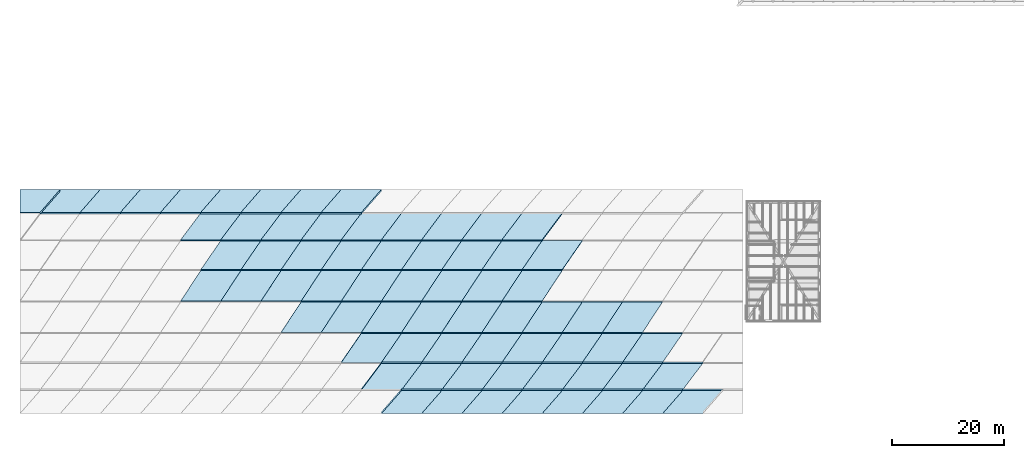
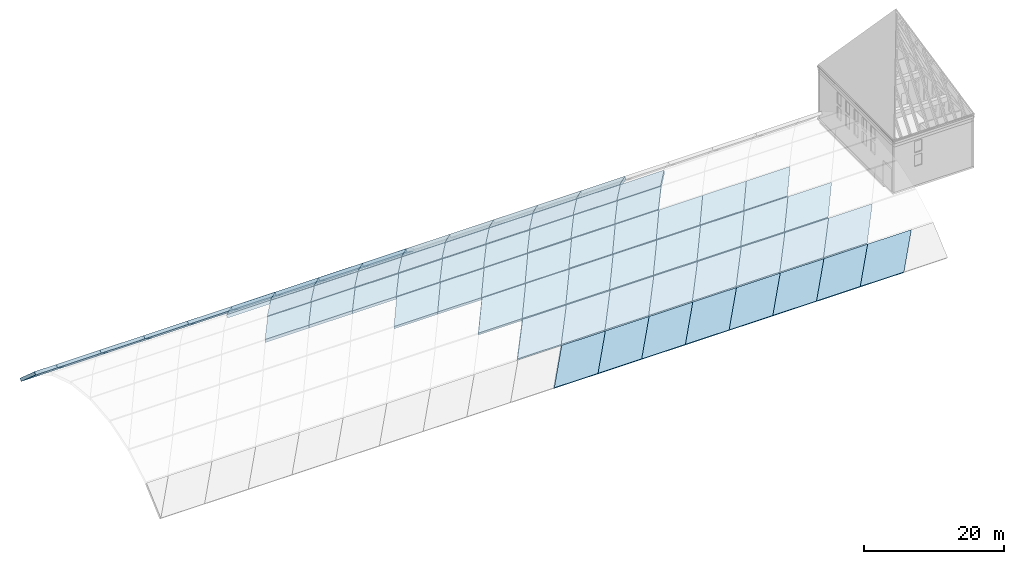
# One storey, part 3 of 8: 69 slabs.
"""IFC4 building model written with IfcOpenShell, lengths in metres."""

import ifcopenshell
import ifcopenshell.guid

model = None  # the IFC model being written
_history = None  # IfcOwnerHistory: only IFC2X3 demands one
_inside = {}  # id of a spatial element -> (the spatial element, [elements in it])
_under = {}  # id of a project, library or spatial element -> (it, [spatial elements below it])
_declared = {}  # id of a project -> (the project, [libraries it declares])
_typed = {}  # id of a type object -> (the type object, [elements of that type])
_made_of = {}  # id of a material, layer set ... -> (it, [elements and type objects made of it])


def new_model(schema):
    """Start an empty IFC model of exactly this schema.

    Asked for "IFC4X3", IfcOpenShell would pick the latest addendum, in which some entities
    have other attributes; the version numbers below select the first issue.
    IFC2X3 requires an IfcOwnerHistory on every rooted entity: one is made here for all.
    """
    global model, _history
    if schema == "IFC4X3":
        model = ifcopenshell.file(schema_version=(4, 3, 0, 0))
    else:
        model = ifcopenshell.file(schema=schema)
    _inside.clear()
    _under.clear()
    _declared.clear()
    _typed.clear()
    _made_of.clear()
    _history = None
    if model.schema == "IFC2X3":
        org = make("IfcOrganization", Name="unknown")
        user = make(
            "IfcPersonAndOrganization",
            ThePerson=make("IfcPerson", FamilyName="unknown"),
            TheOrganization=org,
        )
        app = make(
            "IfcApplication",
            ApplicationDeveloper=org,
            Version="unknown",
            ApplicationFullName="unknown",
            ApplicationIdentifier="unknown",
        )
        _history = make(
            "IfcOwnerHistory",
            OwningUser=user,
            OwningApplication=app,
            ChangeAction="ADDED",
            CreationDate=0,
        )
    return model


def make(cls, **values):
    """One entity of the class cls with the attributes given. An attribute that is None is left unset."""
    return model.create_entity(
        cls, **{name: value for name, value in values.items() if value is not None}
    )


def rooted(cls, **values):
    """An entity with a GlobalId (a new one), such as an element, a storey or a relation."""
    return make(cls, GlobalId=ifcopenshell.guid.new(), OwnerHistory=_history, **values)


def si_unit(unit_type, name, prefix=None):
    """IfcSIUnit, for example si_unit("LENGTHUNIT", "METRE", prefix="MILLI")."""
    return make("IfcSIUnit", UnitType=unit_type, Prefix=prefix, Name=name)


def assignment(units):
    """IfcUnitAssignment: the units of a project."""
    return None if units is None else make("IfcUnitAssignment", Units=units)


def point(xyz):
    """IfcCartesianPoint."""
    return None if xyz is None else make("IfcCartesianPoint", Coordinates=xyz)


def direction(xyz):
    """IfcDirection."""
    return None if xyz is None else make("IfcDirection", DirectionRatios=xyz)


def frame(location, z_axis=None, x_axis=None):
    """IfcAxis2Placement3D, a coordinate frame: its origin and axes. An axis left out is left unset."""
    return make(
        "IfcAxis2Placement3D",
        Location=point(location),
        Axis=direction(z_axis),
        RefDirection=direction(x_axis),
    )


def origin():
    """The frame at (0, 0, 0) with its axes left unset."""
    return frame((0.0, 0.0, 0.0))


def place(relative_to, where):
    """IfcLocalPlacement: puts the frame where relative to a parent placement (None: the world)."""
    return make(
        "IfcLocalPlacement", PlacementRelTo=relative_to, RelativePlacement=where
    )


def context(
    kind, dimensions, precision=None, world=None, true_north=None, identifier=None
):
    """IfcGeometricRepresentationContext, for example the 3D "Model" context."""
    return make(
        "IfcGeometricRepresentationContext",
        ContextIdentifier=identifier,
        ContextType=kind,
        CoordinateSpaceDimension=dimensions,
        Precision=precision,
        WorldCoordinateSystem=world,
        TrueNorth=true_north,
    )


def subcontext(parent, identifier, kind, view, scale=None):
    """IfcGeometricRepresentationSubContext, for example "Body" below "Model"."""
    return make(
        "IfcGeometricRepresentationSubContext",
        ContextIdentifier=identifier,
        ContextType=kind,
        ParentContext=parent,
        TargetScale=scale,
        TargetView=view,
    )


def project(units=None, contexts=None):
    """IfcProject with its units and contexts."""
    return rooted(
        "IfcProject",
        Name="project",
        RepresentationContexts=contexts,
        UnitsInContext=assignment(units),
    )


def spatial(cls, under=None, at=None, **own):
    """A site, building, storey or space (cls), placed at a placement, below another one or the project."""
    s = rooted(cls, ObjectPlacement=at, **own)
    if under is not None:
        _under.setdefault(under.id(), (under, []))[1].append(s)
    return s


def polyline(points):
    """IfcPolyline through the points."""
    return make("IfcPolyline", Points=[point(p) for p in points])


def outline(outer, holes=None, kind="AREA"):
    """IfcArbitraryClosedProfileDef: a profile drawn as a closed curve; with holes, ...WithVoids."""
    if holes is None:
        return make("IfcArbitraryClosedProfileDef", ProfileType=kind, OuterCurve=outer)
    return make(
        "IfcArbitraryProfileDefWithVoids",
        ProfileType=kind,
        OuterCurve=outer,
        InnerCurves=holes,
    )


def extrude(swept, where, along, depth):
    """IfcExtrudedAreaSolid: the profile swept, set in the frame where, extruded along a direction by depth."""
    return make(
        "IfcExtrudedAreaSolid",
        SweptArea=swept,
        Position=where,
        ExtrudedDirection=direction(along),
        Depth=depth,
    )


def shape(context_of_items, identifier, shape_type, items):
    """IfcShapeRepresentation: the items that make up one representation, for example the "Body"."""
    return make(
        "IfcShapeRepresentation",
        ContextOfItems=context_of_items,
        RepresentationIdentifier=identifier,
        RepresentationType=shape_type,
        Items=items,
    )


def material(Name=None, Category=None):
    """IfcMaterial."""
    return make("IfcMaterial", Name=Name, Category=Category)


def layer(
    of_material, thickness, ventilated=None, Name=None, Category=None, Priority=None
):
    """IfcMaterialLayer: one layer of a wall or slab, of a material (None: an air gap)."""
    return make(
        "IfcMaterialLayer",
        Material=of_material,
        LayerThickness=thickness,
        IsVentilated=ventilated,
        Name=Name,
        Category=Category,
        Priority=Priority,
    )


def layer_set(layers, Name=None):
    """IfcMaterialLayerSet."""
    return make("IfcMaterialLayerSet", MaterialLayers=layers, LayerSetName=Name)


def made_of(thing, what):
    """Note that an element or type object is made of a material, layer set ...; save() writes the relation."""
    if what is not None:
        _made_of.setdefault(what.id(), (what, []))[1].append(thing)
    return thing


def type_object(cls, material=None, **own):
    """A type object (cls), such as IfcWallType, which elements share."""
    return made_of(rooted(cls, **own), material)


def element(
    cls,
    number,
    at=None,
    inside=None,
    cuts=None,
    type_object=None,
    material=None,
    context=None,
    identifier="Body",
    shape_type=None,
    held_by="IfcProductDefinitionShape",
    body=None,
    shapes=None,
    **own,
):
    """One element of the class cls, such as IfcWall. Its Tag is "e" and its number.

    at: its placement. inside: the storey or other place that contains it. cuts: it is an
    opening in that element (IfcRelVoidsElement). A single representation is given by context,
    identifier, shape_type and body (its items); several are given by shapes. held_by: the class
    of the entity that holds the representations. save() writes the other relations.
    """
    e = rooted(cls, Tag="e%d" % number, ObjectPlacement=at, **own)
    if body is not None:
        shapes = [shape(context, identifier, shape_type, body)]
    if shapes is not None:
        e.Representation = make(held_by, Representations=shapes)
    if inside is not None:
        _inside.setdefault(inside.id(), (inside, []))[1].append(e)
    if cuts is not None:
        rooted(
            "IfcRelVoidsElement", RelatingBuildingElement=cuts, RelatedOpeningElement=e
        )
    if type_object is not None:
        _typed.setdefault(type_object.id(), (type_object, []))[1].append(e)
    return made_of(e, material)


def aggregate(whole, parts):
    """IfcRelAggregates: a whole, such as a stair, and the parts it consists of."""
    return rooted("IfcRelAggregates", RelatingObject=whole, RelatedObjects=parts)


def save(model, path):
    """Write the relations noted so far, then the file.

    IfcRelAggregates (storeys below a building ...), IfcRelContainedInSpatialStructure (elements
    in a storey), IfcRelDefinesByType, IfcRelAssociatesMaterial and IfcRelDeclares: one each for
    every whole, place, type object, material and project.
    """
    for whole, parts in _under.values():
        aggregate(whole, parts)
    for where, things in _inside.values():
        rooted(
            "IfcRelContainedInSpatialStructure",
            RelatedElements=things,
            RelatingStructure=where,
        )
    for kind, things in _typed.values():
        rooted("IfcRelDefinesByType", RelatedObjects=things, RelatingType=kind)
    for what, things in _made_of.values():
        rooted("IfcRelAssociatesMaterial", RelatedObjects=things, RelatingMaterial=what)
    for by, libraries in _declared.values():
        rooted("IfcRelDeclares", RelatingContext=by, RelatedDefinitions=libraries)
    model.write(path)


model = new_model("IFC4")

# Units and contexts
model_context = context("Model", 3, precision=1e-05, world=origin(), true_north=direction((0.0, 1.0)))
body_context = subcontext(model_context, "Body", "Model", "MODEL_VIEW")
ifc_project = project(units=[si_unit("LENGTHUNIT", "METRE"), si_unit("AREAUNIT", "SQUARE_METRE"), si_unit("VOLUMEUNIT", "CUBIC_METRE"), si_unit("PLANEANGLEUNIT", "RADIAN"), si_unit("MASSUNIT", "GRAM", prefix="KILO")], contexts=[model_context])

# Site, building, storey
site_placement = place(None, origin())
site = spatial("IfcSite", under=ifc_project, at=site_placement, CompositionType="ELEMENT")
building_placement = place(site_placement, origin())
building = spatial("IfcBuilding", under=site, at=building_placement, Name="Vermilion Court Aquatics Centre", CompositionType="ELEMENT")
storey_placement = place(building_placement, frame((0.0, 0.0, 23.300048828125)))
storey = spatial("IfcBuildingStorey", under=building, at=storey_placement, Name="ROOF", CompositionType="ELEMENT", Elevation=23.300048828125)

# Slabs
ifc_material_1 = material(Name="Glazing", Category="glass")
ifc_layer_1 = layer(ifc_material_1, 0.449951171875)
ifc_layer_set_1 = layer_set([ifc_layer_1], Name="Roof glazed rooflight unit")
slab_type_1 = type_object("IfcSlabType", Name="Roof glazed rooflight unit", PredefinedType="ROOF", material=ifc_layer_set_1)
slab_1_placement = place(storey_placement, frame((61.199951171875, 34.057861328125, 7.076904296875), z_axis=(0.0, -0.103261140612, 0.994654280059), x_axis=(1.0, 0.0, 0.0)))
element("IfcSlab", 1, at=slab_1_placement, inside=storey, type_object=slab_type_1, Name="Rooflight RL-05-07", PredefinedType="ROOF", context=body_context, shape_type="SweptSolid", body=[
    extrude(outline(polyline([(0.0, 0.0), (7.199951171875, 0.0), (10.800048828125, 5.499368788521336), (3.60009765625, 5.499368788521336), (0.0, 0.0)])), origin(), (0.0, 0.0, -1.0), 0.449951171875),
])
slab_2_placement = place(storey_placement, frame((68.39990234375, 34.057861328125, 7.076904296875), z_axis=(0.0, -0.103261140612, 0.994654280059), x_axis=(1.0, 0.0, 0.0)))
element("IfcSlab", 2, at=slab_2_placement, inside=storey, type_object=slab_type_1, Name="Rooflight RL-05-08", PredefinedType="ROOF", context=body_context, shape_type="SweptSolid", body=[
    extrude(outline(polyline([(0.0, 0.0), (7.2001953125, 0.0), (10.800048828125, 5.499368788521336), (3.60009765625, 5.499368788521336), (0.0, 0.0)])), origin(), (0.0, 0.0, -1.0), 0.449951171875),
])
slab_3_placement = place(storey_placement, frame((75.60009765625, 34.057861328125, 7.076904296875), z_axis=(0.0, -0.103261140612, 0.994654280059), x_axis=(1.0, 0.0, 0.0)))
element("IfcSlab", 3, at=slab_3_placement, inside=storey, type_object=slab_type_1, Name="Rooflight RL-05-09", PredefinedType="ROOF", context=body_context, shape_type="SweptSolid", body=[
    extrude(outline(polyline([(0.0, 0.0), (7.199951171875, 0.0), (10.7998046875, 5.499368788521336), (3.599853515625, 5.499368788521336), (0.0, 0.0)])), origin(), (0.0, 0.0, -1.0), 0.449951171875),
])
slab_4_placement = place(storey_placement, frame((82.800048828125, 34.057861328125, 7.076904296875), z_axis=(0.0, -0.103261140612, 0.994654280059), x_axis=(1.0, 0.0, 0.0)))
element("IfcSlab", 4, at=slab_4_placement, inside=storey, type_object=slab_type_1, Name="Rooflight RL-05-10", PredefinedType="ROOF", context=body_context, shape_type="SweptSolid", body=[
    extrude(outline(polyline([(0.0, 0.0), (7.199951171875, 0.0), (10.800048828125, 5.499368788521336), (3.599853515625, 5.499368788521336), (0.0, 0.0)])), origin(), (0.0, 0.0, -1.0), 0.449951171875),
])
slab_5_placement = place(storey_placement, frame((57.60009765625, 39.672119140625, 7.644775390625), z_axis=(0.0, 0.103261140612, 0.994654280059), x_axis=(1.0, 0.0, 0.0)))
element("IfcSlab", 5, at=slab_5_placement, inside=storey, type_object=slab_type_1, Name="Rooflight RL-06-07", PredefinedType="ROOF", context=body_context, shape_type="SweptSolid", body=[
    extrude(outline(polyline([(0.0, 0.0), (7.199951171875, 0.0), (10.7998046875, 5.499368788521336), (3.599853515625, 5.499368788521336), (0.0, 0.0)])), origin(), (0.0, 0.0, -1.0), 0.449951171875),
])
slab_6_placement = place(storey_placement, frame((64.800048828125, 39.672119140625, 7.644775390625), z_axis=(0.0, 0.103261140612, 0.994654280059), x_axis=(1.0, 0.0, 0.0)))
element("IfcSlab", 6, at=slab_6_placement, inside=storey, type_object=slab_type_1, Name="Rooflight RL-06-08", PredefinedType="ROOF", context=body_context, shape_type="SweptSolid", body=[
    extrude(outline(polyline([(0.0, 0.0), (7.199951171875, 0.0), (10.800048828125, 5.499368788521336), (3.599853515625, 5.499368788521336), (0.0, 0.0)])), origin(), (0.0, 0.0, -1.0), 0.449951171875),
])
for number, where, z_axis, x_axis, name in (
    (7, (72.0, 39.672119140625, 7.644775390625), (0.0, 0.103261140612, 0.994654280059), (1.0, 0.0, 0.0), "Rooflight RL-06-09"),
    (8, (79.199951171875, 39.672119140625, 7.644775390625), (0.0, 0.103261140612, 0.994654280059), (1.0, 0.0, 0.0), "Rooflight RL-06-10"),
):
    element("IfcSlab", number, at=place(storey_placement, frame(where, z_axis=z_axis, x_axis=x_axis)), inside=storey, type_object=slab_type_1, Name=name, PredefinedType="ROOF", context=body_context, shape_type="SweptSolid", body=[
        extrude(outline(polyline([(0.0, 0.0), (7.199951171875, 0.0), (10.800048828125, 5.499368788521336), (3.60009765625, 5.499368788521336), (0.0, 0.0)])), origin(), (0.0, 0.0, -1.0), 0.449951171875),
    ])
ifc_material_2 = material(Name="Zinc standing seam sheet", Category="metal")
ifc_layer_2 = layer(ifc_material_2, 0.5)
ifc_layer_set_2 = layer_set([ifc_layer_2], Name="Roof insulated cover panel")
slab_type_2 = type_object("IfcSlabType", Name="Roof insulated cover panel", PredefinedType="ROOF", material=ifc_layer_set_2)
slab_7_placement = place(storey_placement, frame((79.199951171875, 19.50439453125, -1.0869140625), z_axis=(0.0, -0.66200348449, 0.749500758187), x_axis=(1.0, 0.0, 0.0)))
element("IfcSlab", 9, at=slab_7_placement, inside=storey, type_object=slab_type_2, Name="Roof panel RP-02-10", PredefinedType="ROOF", context=body_context, shape_type="SweptSolid", body=[
    extrude(outline(polyline([(0.0, 0.0), (7.199951171875, 0.0), (10.800048828125, 5.496823054377794), (3.60009765625, 5.496823054377794), (0.0, 0.0)])), origin(), (0.0, 0.0, -1.0), 0.5),
])
slab_8_placement = place(storey_placement, frame((86.39990234375, 19.50439453125, -1.0869140625), z_axis=(0.0, -0.66200348449, 0.749500758187), x_axis=(1.0, 0.0, 0.0)))
element("IfcSlab", 10, at=slab_8_placement, inside=storey, type_object=slab_type_2, Name="Roof panel RP-02-11", PredefinedType="ROOF", context=body_context, shape_type="SweptSolid", body=[
    extrude(outline(polyline([(0.0, 0.0), (7.2001953125, 0.0), (10.800048828125, 5.496823054377795), (3.60009765625, 5.496823054377795), (0.0, 0.0)])), origin(), (0.0, 0.0, -1.0), 0.5),
])
slab_9_placement = place(storey_placement, frame((93.60009765625, 19.50439453125, -1.0869140625), z_axis=(0.0, -0.66200348449, 0.749500758187), x_axis=(1.0, 0.0, 0.0)))
element("IfcSlab", 11, at=slab_9_placement, inside=storey, type_object=slab_type_2, Name="Roof panel RP-02-12", PredefinedType="ROOF", context=body_context, shape_type="SweptSolid", body=[
    extrude(outline(polyline([(0.0, 0.0), (7.199951171875, 0.0), (10.7998046875, 5.496823054377794), (3.599853515625, 5.496823054377794), (0.0, 0.0)])), origin(), (0.0, 0.0, -1.0), 0.5),
])
slab_10_placement = place(storey_placement, frame((100.800048828125, 19.50439453125, -1.0869140625), z_axis=(0.0, -0.66200348449, 0.749500758187), x_axis=(1.0, 0.0, 0.0)))
element("IfcSlab", 12, at=slab_10_placement, inside=storey, type_object=slab_type_2, Name="Roof panel RP-02-13", PredefinedType="ROOF", context=body_context, shape_type="SweptSolid", body=[
    extrude(outline(polyline([(0.0, 0.0), (7.199951171875, 0.0), (10.800048828125, 5.496823054377795), (3.599853515625, 5.496823054377795), (0.0, 0.0)])), origin(), (0.0, 0.0, -1.0), 0.5),
])
for number, where, z_axis, x_axis, name in (
    (13, (108.0, 19.50439453125, -1.0869140625), (0.0, -0.66200348449, 0.749500758187), (1.0, 0.0, 0.0), "Roof panel RP-02-14"),
    (14, (115.199951171875, 19.50439453125, -1.0869140625), (0.0, -0.66200348449, 0.749500758187), (1.0, 0.0, 0.0), "Roof panel RP-02-15"),
):
    element("IfcSlab", number, at=place(storey_placement, frame(where, z_axis=z_axis, x_axis=x_axis)), inside=storey, type_object=slab_type_2, Name=name, PredefinedType="ROOF", context=body_context, shape_type="SweptSolid", body=[
        extrude(outline(polyline([(0.0, 0.0), (7.199951171875, 0.0), (10.800048828125, 5.496823054377794), (3.60009765625, 5.496823054377794), (0.0, 0.0)])), origin(), (0.0, 0.0, -1.0), 0.5),
    ])
slab_11_placement = place(storey_placement, frame((122.39990234375, 19.50439453125, -1.0869140625), z_axis=(0.0, -0.66200348449, 0.749500758187), x_axis=(1.0, 0.0, 0.0)))
element("IfcSlab", 15, at=slab_11_placement, inside=storey, type_object=slab_type_2, Name="Roof panel RP-02-16", PredefinedType="ROOF", context=body_context, shape_type="SweptSolid", body=[
    extrude(outline(polyline([(0.0, 0.0), (7.2001953125, 0.0), (10.800048828125, 5.496823054377795), (3.60009765625, 5.496823054377795), (0.0, 0.0)])), origin(), (0.0, 0.0, -1.0), 0.5),
])
slab_12_placement = place(storey_placement, frame((129.60009765625, 19.50439453125, -1.0869140625), z_axis=(0.0, -0.66200348449, 0.749500758187), x_axis=(1.0, 0.0, 0.0)))
element("IfcSlab", 16, at=slab_12_placement, inside=storey, type_object=slab_type_2, Name="Roof panel RP-02-17", PredefinedType="ROOF", context=body_context, shape_type="SweptSolid", body=[
    extrude(outline(polyline([(0.0, 0.0), (7.199951171875, 0.0), (10.7998046875, 5.496823054377794), (3.599853515625, 5.496823054377794), (0.0, 0.0)])), origin(), (0.0, 0.0, -1.0), 0.5),
])
slab_13_placement = place(storey_placement, frame((75.60009765625, 23.750244140625, 2.641845703125), z_axis=(0.0, -0.494047556018, 0.869434881054), x_axis=(1.0, 0.0, 0.0)))
element("IfcSlab", 17, at=slab_13_placement, inside=storey, type_object=slab_type_2, Name="Roof panel RP-03-09", PredefinedType="ROOF", context=body_context, shape_type="SweptSolid", body=[
    extrude(outline(polyline([(0.0, 0.0), (7.199951171875, 0.0), (10.7998046875, 5.4975769438396265), (3.599853515625, 5.4975769438396265), (0.0, 0.0)])), origin(), (0.0, 0.0, -1.0), 0.5),
])
slab_14_placement = place(storey_placement, frame((82.800048828125, 23.750244140625, 2.641845703125), z_axis=(0.0, -0.494047556018, 0.869434881054), x_axis=(1.0, 0.0, 0.0)))
element("IfcSlab", 18, at=slab_14_placement, inside=storey, type_object=slab_type_2, Name="Roof panel RP-03-10", PredefinedType="ROOF", context=body_context, shape_type="SweptSolid", body=[
    extrude(outline(polyline([(0.0, 0.0), (7.199951171875, 0.0), (10.800048828125, 5.4975769438396265), (3.599853515625, 5.4975769438396265), (0.0, 0.0)])), origin(), (0.0, 0.0, -1.0), 0.5),
])
for number, where, z_axis, x_axis, name in (
    (19, (90.0, 23.750244140625, 2.641845703125), (0.0, -0.494047556018, 0.869434881054), (1.0, 0.0, 0.0), "Roof panel RP-03-11"),
    (20, (97.199951171875, 23.750244140625, 2.641845703125), (0.0, -0.494047556018, 0.869434881054), (1.0, 0.0, 0.0), "Roof panel RP-03-12"),
):
    element("IfcSlab", number, at=place(storey_placement, frame(where, z_axis=z_axis, x_axis=x_axis)), inside=storey, type_object=slab_type_2, Name=name, PredefinedType="ROOF", context=body_context, shape_type="SweptSolid", body=[
        extrude(outline(polyline([(0.0, 0.0), (7.199951171875, 0.0), (10.800048828125, 5.4975769438396265), (3.60009765625, 5.4975769438396265), (0.0, 0.0)])), origin(), (0.0, 0.0, -1.0), 0.5),
    ])
slab_15_placement = place(storey_placement, frame((104.39990234375, 23.750244140625, 2.641845703125), z_axis=(0.0, -0.494047556018, 0.869434881054), x_axis=(1.0, 0.0, 0.0)))
element("IfcSlab", 21, at=slab_15_placement, inside=storey, type_object=slab_type_2, Name="Roof panel RP-03-13", PredefinedType="ROOF", context=body_context, shape_type="SweptSolid", body=[
    extrude(outline(polyline([(0.0, 0.0), (7.2001953125, 0.0), (10.800048828125, 5.4975769438396265), (3.60009765625, 5.4975769438396265), (0.0, 0.0)])), origin(), (0.0, 0.0, -1.0), 0.5),
])
slab_16_placement = place(storey_placement, frame((111.60009765625, 23.750244140625, 2.641845703125), z_axis=(0.0, -0.494047556018, 0.869434881054), x_axis=(1.0, 0.0, 0.0)))
element("IfcSlab", 22, at=slab_16_placement, inside=storey, type_object=slab_type_2, Name="Roof panel RP-03-14", PredefinedType="ROOF", context=body_context, shape_type="SweptSolid", body=[
    extrude(outline(polyline([(0.0, 0.0), (7.199951171875, 0.0), (10.7998046875, 5.4975769438396265), (3.599853515625, 5.4975769438396265), (0.0, 0.0)])), origin(), (0.0, 0.0, -1.0), 0.5),
])
slab_17_placement = place(storey_placement, frame((118.800048828125, 23.750244140625, 2.641845703125), z_axis=(0.0, -0.494047556018, 0.869434881054), x_axis=(1.0, 0.0, 0.0)))
element("IfcSlab", 23, at=slab_17_placement, inside=storey, type_object=slab_type_2, Name="Roof panel RP-03-15", PredefinedType="ROOF", context=body_context, shape_type="SweptSolid", body=[
    extrude(outline(polyline([(0.0, 0.0), (7.199951171875, 0.0), (10.800048828125, 5.4975769438396265), (3.599853515625, 5.4975769438396265), (0.0, 0.0)])), origin(), (0.0, 0.0, -1.0), 0.5),
])
slab_18_placement = place(storey_placement, frame((126.0, 23.750244140625, 2.641845703125), z_axis=(0.0, -0.494047556018, 0.869434881054), x_axis=(1.0, 0.0, 0.0)))
element("IfcSlab", 24, at=slab_18_placement, inside=storey, type_object=slab_type_2, Name="Roof panel RP-03-16", PredefinedType="ROOF", context=body_context, shape_type="SweptSolid", body=[
    extrude(outline(polyline([(0.0, 0.0), (7.199951171875, 0.0), (10.800048828125, 5.4975769438396265), (3.60009765625, 5.4975769438396265), (0.0, 0.0)])), origin(), (0.0, 0.0, -1.0), 0.5),
])
for number, where, z_axis, x_axis, name in (
    (25, (72.0, 28.671630859375, 5.419921875), (0.0, -0.305016066417, 0.952347205187), (1.0, 0.0, 0.0), "Roof panel RP-04-09"),
    (26, (79.199951171875, 28.671630859375, 5.419921875), (0.0, -0.305016066417, 0.952347205187), (1.0, 0.0, 0.0), "Roof panel RP-04-10"),
):
    element("IfcSlab", number, at=place(storey_placement, frame(where, z_axis=z_axis, x_axis=x_axis)), inside=storey, type_object=slab_type_2, Name=name, PredefinedType="ROOF", context=body_context, shape_type="SweptSolid", body=[
        extrude(outline(polyline([(0.0, 0.0), (7.199951171875, 0.0), (10.800048828125, 5.49167408720778), (3.60009765625, 5.49167408720778), (0.0, 0.0)])), origin(), (0.0, 0.0, -1.0), 0.5),
    ])
slab_19_placement = place(storey_placement, frame((86.39990234375, 28.671630859375, 5.419921875), z_axis=(0.0, -0.305016066417, 0.952347205187), x_axis=(1.0, 0.0, 0.0)))
element("IfcSlab", 27, at=slab_19_placement, inside=storey, type_object=slab_type_2, Name="Roof panel RP-04-11", PredefinedType="ROOF", context=body_context, shape_type="SweptSolid", body=[
    extrude(outline(polyline([(0.0, 0.0), (7.2001953125, 0.0), (10.800048828125, 5.491674087207781), (3.60009765625, 5.491674087207781), (0.0, 0.0)])), origin(), (0.0, 0.0, -1.0), 0.5),
])
slab_20_placement = place(storey_placement, frame((93.60009765625, 28.671630859375, 5.419921875), z_axis=(0.0, -0.305016066417, 0.952347205187), x_axis=(1.0, 0.0, 0.0)))
element("IfcSlab", 28, at=slab_20_placement, inside=storey, type_object=slab_type_2, Name="Roof panel RP-04-12", PredefinedType="ROOF", context=body_context, shape_type="SweptSolid", body=[
    extrude(outline(polyline([(0.0, 0.0), (7.199951171875, 0.0), (10.7998046875, 5.49167408720778), (3.599853515625, 5.49167408720778), (0.0, 0.0)])), origin(), (0.0, 0.0, -1.0), 0.5),
])
slab_21_placement = place(storey_placement, frame((100.800048828125, 28.671630859375, 5.419921875), z_axis=(0.0, -0.305016066417, 0.952347205187), x_axis=(1.0, 0.0, 0.0)))
element("IfcSlab", 29, at=slab_21_placement, inside=storey, type_object=slab_type_2, Name="Roof panel RP-04-13", PredefinedType="ROOF", context=body_context, shape_type="SweptSolid", body=[
    extrude(outline(polyline([(0.0, 0.0), (7.199951171875, 0.0), (10.800048828125, 5.491674087207781), (3.599853515625, 5.491674087207781), (0.0, 0.0)])), origin(), (0.0, 0.0, -1.0), 0.5),
])
for number, where, z_axis, x_axis, name in (
    (30, (108.0, 28.671630859375, 5.419921875), (0.0, -0.305016066417, 0.952347205187), (1.0, 0.0, 0.0), "Roof panel RP-04-14"),
    (31, (115.199951171875, 28.671630859375, 5.419921875), (0.0, -0.305016066417, 0.952347205187), (1.0, 0.0, 0.0), "Roof panel RP-04-15"),
):
    element("IfcSlab", number, at=place(storey_placement, frame(where, z_axis=z_axis, x_axis=x_axis)), inside=storey, type_object=slab_type_2, Name=name, PredefinedType="ROOF", context=body_context, shape_type="SweptSolid", body=[
        extrude(outline(polyline([(0.0, 0.0), (7.199951171875, 0.0), (10.800048828125, 5.49167408720778), (3.60009765625, 5.49167408720778), (0.0, 0.0)])), origin(), (0.0, 0.0, -1.0), 0.5),
    ])
slab_22_placement = place(storey_placement, frame((122.39990234375, 28.671630859375, 5.419921875), z_axis=(0.0, -0.305016066417, 0.952347205187), x_axis=(1.0, 0.0, 0.0)))
element("IfcSlab", 32, at=slab_22_placement, inside=storey, type_object=slab_type_2, Name="Roof panel RP-04-16", PredefinedType="ROOF", context=body_context, shape_type="SweptSolid", body=[
    extrude(outline(polyline([(0.0, 0.0), (7.2001953125, 0.0), (10.800048828125, 5.491674087207781), (3.60009765625, 5.491674087207781), (0.0, 0.0)])), origin(), (0.0, 0.0, -1.0), 0.5),
])
for number, where, z_axis, x_axis, name in (
    (33, (90.0, 34.052734375, 7.126708984375), (0.0, -0.103261140612, 0.994654280059), (1.0, 0.0, 0.0), "Roof panel RP-05-11"),
    (34, (97.199951171875, 34.052734375, 7.126708984375), (0.0, -0.103261140612, 0.994654280059), (1.0, 0.0, 0.0), "Roof panel RP-05-12"),
):
    element("IfcSlab", number, at=place(storey_placement, frame(where, z_axis=z_axis, x_axis=x_axis)), inside=storey, type_object=slab_type_2, Name=name, PredefinedType="ROOF", context=body_context, shape_type="SweptSolid", body=[
        extrude(outline(polyline([(0.0, 0.0), (7.199951171875, 0.0), (10.800048828125, 5.499368788521336), (3.60009765625, 5.499368788521336), (0.0, 0.0)])), origin(), (0.0, 0.0, -1.0), 0.5),
    ])
slab_23_placement = place(storey_placement, frame((104.39990234375, 34.052734375, 7.126708984375), z_axis=(0.0, -0.103261140612, 0.994654280059), x_axis=(1.0, 0.0, 0.0)))
element("IfcSlab", 35, at=slab_23_placement, inside=storey, type_object=slab_type_2, Name="Roof panel RP-05-13", PredefinedType="ROOF", context=body_context, shape_type="SweptSolid", body=[
    extrude(outline(polyline([(0.0, 0.0), (7.2001953125, 0.0), (10.800048828125, 5.499368788521336), (3.60009765625, 5.499368788521336), (0.0, 0.0)])), origin(), (0.0, 0.0, -1.0), 0.5),
])
slab_24_placement = place(storey_placement, frame((111.60009765625, 34.052734375, 7.126708984375), z_axis=(0.0, -0.103261140612, 0.994654280059), x_axis=(1.0, 0.0, 0.0)))
element("IfcSlab", 36, at=slab_24_placement, inside=storey, type_object=slab_type_2, Name="Roof panel RP-05-14", PredefinedType="ROOF", context=body_context, shape_type="SweptSolid", body=[
    extrude(outline(polyline([(0.0, 0.0), (7.199951171875, 0.0), (10.7998046875, 5.499368788521336), (3.599853515625, 5.499368788521336), (0.0, 0.0)])), origin(), (0.0, 0.0, -1.0), 0.5),
])
slab_25_placement = place(storey_placement, frame((118.800048828125, 34.052734375, 7.126708984375), z_axis=(0.0, -0.103261140612, 0.994654280059), x_axis=(1.0, 0.0, 0.0)))
element("IfcSlab", 37, at=slab_25_placement, inside=storey, type_object=slab_type_2, Name="Roof panel RP-05-15", PredefinedType="ROOF", context=body_context, shape_type="SweptSolid", body=[
    extrude(outline(polyline([(0.0, 0.0), (7.199951171875, 0.0), (10.800048828125, 5.499368788521336), (3.599853515625, 5.499368788521336), (0.0, 0.0)])), origin(), (0.0, 0.0, -1.0), 0.5),
])
slab_26_placement = place(storey_placement, frame((43.199951171875, 39.67724609375, 7.694580078125), z_axis=(0.0, 0.103261140612, 0.994654280059), x_axis=(1.0, 0.0, 0.0)))
element("IfcSlab", 38, at=slab_26_placement, inside=storey, type_object=slab_type_2, Name="Roof panel RP-06-05", PredefinedType="ROOF", context=body_context, shape_type="SweptSolid", body=[
    extrude(outline(polyline([(0.0, 0.0), (7.199951171875, 0.0), (10.800048828125, 5.499368788521336), (3.60009765625, 5.499368788521336), (0.0, 0.0)])), origin(), (0.0, 0.0, -1.0), 0.5),
])
for number, where, z_axis, x_axis, name in (
    (39, (50.39990234375, 39.67724609375, 7.694580078125), (0.0, 0.103261140612, 0.994654280059), (1.0, 0.0, 0.0), "Roof panel RP-06-06"),
    (40, (86.39990234375, 39.67724609375, 7.694580078125), (0.0, 0.103261140612, 0.994654280059), (1.0, 0.0, 0.0), "Roof panel RP-06-11"),
):
    element("IfcSlab", number, at=place(storey_placement, frame(where, z_axis=z_axis, x_axis=x_axis)), inside=storey, type_object=slab_type_2, Name=name, PredefinedType="ROOF", context=body_context, shape_type="SweptSolid", body=[
        extrude(outline(polyline([(0.0, 0.0), (7.2001953125, 0.0), (10.800048828125, 5.499368788521336), (3.60009765625, 5.499368788521336), (0.0, 0.0)])), origin(), (0.0, 0.0, -1.0), 0.5),
    ])
slab_27_placement = place(storey_placement, frame((93.60009765625, 39.67724609375, 7.694580078125), z_axis=(0.0, 0.103261140612, 0.994654280059), x_axis=(1.0, 0.0, 0.0)))
element("IfcSlab", 41, at=slab_27_placement, inside=storey, type_object=slab_type_2, Name="Roof panel RP-06-12", PredefinedType="ROOF", context=body_context, shape_type="SweptSolid", body=[
    extrude(outline(polyline([(0.0, 0.0), (7.199951171875, 0.0), (10.7998046875, 5.499368788521336), (3.599853515625, 5.499368788521336), (0.0, 0.0)])), origin(), (0.0, 0.0, -1.0), 0.5),
])
slab_28_placement = place(storey_placement, frame((100.800048828125, 39.67724609375, 7.694580078125), z_axis=(0.0, 0.103261140612, 0.994654280059), x_axis=(1.0, 0.0, 0.0)))
element("IfcSlab", 42, at=slab_28_placement, inside=storey, type_object=slab_type_2, Name="Roof panel RP-06-13", PredefinedType="ROOF", context=body_context, shape_type="SweptSolid", body=[
    extrude(outline(polyline([(0.0, 0.0), (7.199951171875, 0.0), (10.800048828125, 5.499368788521336), (3.599853515625, 5.499368788521336), (0.0, 0.0)])), origin(), (0.0, 0.0, -1.0), 0.5),
])
slab_29_placement = place(storey_placement, frame((46.800048828125, 45.29833984375, 7.094970703125), z_axis=(0.0, 0.305016066417, 0.952347205187), x_axis=(1.0, 0.0, 0.0)))
element("IfcSlab", 43, at=slab_29_placement, inside=storey, type_object=slab_type_2, Name="Roof panel RP-07-05", PredefinedType="ROOF", context=body_context, shape_type="SweptSolid", body=[
    extrude(outline(polyline([(0.0, 0.0), (7.199951171875, 0.0), (10.800048828125, 5.491674087207781), (3.599853515625, 5.491674087207781), (0.0, 0.0)])), origin(), (0.0, 0.0, -1.0), 0.5),
])
for number, where, z_axis, x_axis, name in (
    (44, (54.0, 45.29833984375, 7.094970703125), (0.0, 0.305016066417, 0.952347205187), (1.0, 0.0, 0.0), "Roof panel RP-07-06"),
    (45, (61.199951171875, 45.29833984375, 7.094970703125), (0.0, 0.305016066417, 0.952347205187), (1.0, 0.0, 0.0), "Roof panel RP-07-07"),
):
    element("IfcSlab", number, at=place(storey_placement, frame(where, z_axis=z_axis, x_axis=x_axis)), inside=storey, type_object=slab_type_2, Name=name, PredefinedType="ROOF", context=body_context, shape_type="SweptSolid", body=[
        extrude(outline(polyline([(0.0, 0.0), (7.199951171875, 0.0), (10.800048828125, 5.49167408720778), (3.60009765625, 5.49167408720778), (0.0, 0.0)])), origin(), (0.0, 0.0, -1.0), 0.5),
    ])
slab_30_placement = place(storey_placement, frame((68.39990234375, 45.29833984375, 7.094970703125), z_axis=(0.0, 0.305016066417, 0.952347205187), x_axis=(1.0, 0.0, 0.0)))
element("IfcSlab", 46, at=slab_30_placement, inside=storey, type_object=slab_type_2, Name="Roof panel RP-07-08", PredefinedType="ROOF", context=body_context, shape_type="SweptSolid", body=[
    extrude(outline(polyline([(0.0, 0.0), (7.2001953125, 0.0), (10.800048828125, 5.491674087207781), (3.60009765625, 5.491674087207781), (0.0, 0.0)])), origin(), (0.0, 0.0, -1.0), 0.5),
])
slab_31_placement = place(storey_placement, frame((75.60009765625, 45.29833984375, 7.094970703125), z_axis=(0.0, 0.305016066417, 0.952347205187), x_axis=(1.0, 0.0, 0.0)))
element("IfcSlab", 47, at=slab_31_placement, inside=storey, type_object=slab_type_2, Name="Roof panel RP-07-09", PredefinedType="ROOF", context=body_context, shape_type="SweptSolid", body=[
    extrude(outline(polyline([(0.0, 0.0), (7.199951171875, 0.0), (10.7998046875, 5.49167408720778), (3.599853515625, 5.49167408720778), (0.0, 0.0)])), origin(), (0.0, 0.0, -1.0), 0.5),
])
slab_32_placement = place(storey_placement, frame((82.800048828125, 45.29833984375, 7.094970703125), z_axis=(0.0, 0.305016066417, 0.952347205187), x_axis=(1.0, 0.0, 0.0)))
element("IfcSlab", 48, at=slab_32_placement, inside=storey, type_object=slab_type_2, Name="Roof panel RP-07-10", PredefinedType="ROOF", context=body_context, shape_type="SweptSolid", body=[
    extrude(outline(polyline([(0.0, 0.0), (7.199951171875, 0.0), (10.800048828125, 5.491674087207781), (3.599853515625, 5.491674087207781), (0.0, 0.0)])), origin(), (0.0, 0.0, -1.0), 0.5),
])
for number, where, z_axis, x_axis, name in (
    (49, (90.0, 45.29833984375, 7.094970703125), (0.0, 0.305016066417, 0.952347205187), (1.0, 0.0, 0.0), "Roof panel RP-07-11"),
    (50, (97.199951171875, 45.29833984375, 7.094970703125), (0.0, 0.305016066417, 0.952347205187), (1.0, 0.0, 0.0), "Roof panel RP-07-12"),
):
    element("IfcSlab", number, at=place(storey_placement, frame(where, z_axis=z_axis, x_axis=x_axis)), inside=storey, type_object=slab_type_2, Name=name, PredefinedType="ROOF", context=body_context, shape_type="SweptSolid", body=[
        extrude(outline(polyline([(0.0, 0.0), (7.199951171875, 0.0), (10.800048828125, 5.49167408720778), (3.60009765625, 5.49167408720778), (0.0, 0.0)])), origin(), (0.0, 0.0, -1.0), 0.5),
    ])
slab_33_placement = place(storey_placement, frame((104.39990234375, 45.29833984375, 7.094970703125), z_axis=(0.0, 0.305016066417, 0.952347205187), x_axis=(1.0, 0.0, 0.0)))
element("IfcSlab", 51, at=slab_33_placement, inside=storey, type_object=slab_type_2, Name="Roof panel RP-07-13", PredefinedType="ROOF", context=body_context, shape_type="SweptSolid", body=[
    extrude(outline(polyline([(0.0, 0.0), (7.2001953125, 0.0), (10.800048828125, 5.491674087207781), (3.60009765625, 5.491674087207781), (0.0, 0.0)])), origin(), (0.0, 0.0, -1.0), 0.5),
])
slab_34_placement = place(storey_placement, frame((43.199951171875, 50.669921875, 5.35791015625), z_axis=(0.0, 0.494028481196, 0.869445719851), x_axis=(1.0, 0.0, 0.0)))
element("IfcSlab", 52, at=slab_34_placement, inside=storey, type_object=slab_type_2, Name="Roof panel RP-08-05", PredefinedType="ROOF", context=body_context, shape_type="SweptSolid", body=[
    extrude(outline(polyline([(0.0, 0.0), (7.199951171875, 0.0), (10.800048828125, 5.497789209538004), (3.60009765625, 5.497789209538004), (0.0, 0.0)])), origin(), (0.0, 0.0, -1.0), 0.5),
])
slab_35_placement = place(storey_placement, frame((50.39990234375, 50.669921875, 5.35791015625), z_axis=(0.0, 0.494028481196, 0.869445719851), x_axis=(1.0, 0.0, 0.0)))
element("IfcSlab", 53, at=slab_35_placement, inside=storey, type_object=slab_type_2, Name="Roof panel RP-08-06", PredefinedType="ROOF", context=body_context, shape_type="SweptSolid", body=[
    extrude(outline(polyline([(0.0, 0.0), (7.2001953125, 0.0), (10.800048828125, 5.497789209538004), (3.60009765625, 5.497789209538004), (0.0, 0.0)])), origin(), (0.0, 0.0, -1.0), 0.5),
])
slab_36_placement = place(storey_placement, frame((57.60009765625, 50.669921875, 5.35791015625), z_axis=(0.0, 0.494028481196, 0.869445719851), x_axis=(1.0, 0.0, 0.0)))
element("IfcSlab", 54, at=slab_36_placement, inside=storey, type_object=slab_type_2, Name="Roof panel RP-08-07", PredefinedType="ROOF", context=body_context, shape_type="SweptSolid", body=[
    extrude(outline(polyline([(0.0, 0.0), (7.199951171875, 0.0), (10.7998046875, 5.497789209538004), (3.599853515625, 5.497789209538004), (0.0, 0.0)])), origin(), (0.0, 0.0, -1.0), 0.5),
])
slab_37_placement = place(storey_placement, frame((64.800048828125, 50.669921875, 5.35791015625), z_axis=(0.0, 0.494028481196, 0.869445719851), x_axis=(1.0, 0.0, 0.0)))
element("IfcSlab", 55, at=slab_37_placement, inside=storey, type_object=slab_type_2, Name="Roof panel RP-08-08", PredefinedType="ROOF", context=body_context, shape_type="SweptSolid", body=[
    extrude(outline(polyline([(0.0, 0.0), (7.199951171875, 0.0), (10.800048828125, 5.497789209538004), (3.599853515625, 5.497789209538004), (0.0, 0.0)])), origin(), (0.0, 0.0, -1.0), 0.5),
])
for number, where, z_axis, x_axis, name in (
    (56, (72.0, 50.669921875, 5.35791015625), (0.0, 0.494028481196, 0.869445719851), (1.0, 0.0, 0.0), "Roof panel RP-08-09"),
    (57, (79.199951171875, 50.669921875, 5.35791015625), (0.0, 0.494028481196, 0.869445719851), (1.0, 0.0, 0.0), "Roof panel RP-08-10"),
):
    element("IfcSlab", number, at=place(storey_placement, frame(where, z_axis=z_axis, x_axis=x_axis)), inside=storey, type_object=slab_type_2, Name=name, PredefinedType="ROOF", context=body_context, shape_type="SweptSolid", body=[
        extrude(outline(polyline([(0.0, 0.0), (7.199951171875, 0.0), (10.800048828125, 5.497789209538004), (3.60009765625, 5.497789209538004), (0.0, 0.0)])), origin(), (0.0, 0.0, -1.0), 0.5),
    ])
slab_38_placement = place(storey_placement, frame((86.39990234375, 50.669921875, 5.35791015625), z_axis=(0.0, 0.494028481196, 0.869445719851), x_axis=(1.0, 0.0, 0.0)))
element("IfcSlab", 58, at=slab_38_placement, inside=storey, type_object=slab_type_2, Name="Roof panel RP-08-11", PredefinedType="ROOF", context=body_context, shape_type="SweptSolid", body=[
    extrude(outline(polyline([(0.0, 0.0), (7.2001953125, 0.0), (10.800048828125, 5.497789209538004), (3.60009765625, 5.497789209538004), (0.0, 0.0)])), origin(), (0.0, 0.0, -1.0), 0.5),
])
slab_39_placement = place(storey_placement, frame((93.60009765625, 50.669921875, 5.35791015625), z_axis=(0.0, 0.494028481196, 0.869445719851), x_axis=(1.0, 0.0, 0.0)))
element("IfcSlab", 59, at=slab_39_placement, inside=storey, type_object=slab_type_2, Name="Roof panel RP-08-12", PredefinedType="ROOF", context=body_context, shape_type="SweptSolid", body=[
    extrude(outline(polyline([(0.0, 0.0), (7.199951171875, 0.0), (10.7998046875, 5.497789209538004), (3.599853515625, 5.497789209538004), (0.0, 0.0)])), origin(), (0.0, 0.0, -1.0), 0.5),
])
slab_40_placement = place(storey_placement, frame((100.800048828125, 50.669921875, 5.35791015625), z_axis=(0.0, 0.494028481196, 0.869445719851), x_axis=(1.0, 0.0, 0.0)))
element("IfcSlab", 60, at=slab_40_placement, inside=storey, type_object=slab_type_2, Name="Roof panel RP-08-13", PredefinedType="ROOF", context=body_context, shape_type="SweptSolid", body=[
    extrude(outline(polyline([(0.0, 0.0), (7.199951171875, 0.0), (10.800048828125, 5.497789209538004), (3.599853515625, 5.497789209538004), (0.0, 0.0)])), origin(), (0.0, 0.0, -1.0), 0.5),
])
slab_41_placement = place(storey_placement, frame((14.39990234375, 55.57568359375, 2.552001953125), z_axis=(0.0, 0.66200348449, 0.749500758187), x_axis=(1.0, 0.0, 0.0)))
element("IfcSlab", 61, at=slab_41_placement, inside=storey, type_object=slab_type_2, Name="Roof panel RP-09-00", PredefinedType="ROOF", context=body_context, shape_type="SweptSolid", body=[
    extrude(outline(polyline([(0.0, 0.0), (3.60009765625, 0.0), (7.2001953125, 5.496823054377794), (0.0, 5.496823054377794), (0.0, 0.0)])), origin(), (0.0, 0.0, -1.0), 0.5),
])
for number, where, z_axis, x_axis, name in (
    (62, (18.0, 55.57568359375, 2.552001953125), (0.0, 0.66200348449, 0.749500758187), (1.0, 0.0, 0.0), "Roof panel RP-09-01"),
    (63, (25.199951171875, 55.57568359375, 2.552001953125), (0.0, 0.66200348449, 0.749500758187), (1.0, 0.0, 0.0), "Roof panel RP-09-02"),
):
    element("IfcSlab", number, at=place(storey_placement, frame(where, z_axis=z_axis, x_axis=x_axis)), inside=storey, type_object=slab_type_2, Name=name, PredefinedType="ROOF", context=body_context, shape_type="SweptSolid", body=[
        extrude(outline(polyline([(0.0, 0.0), (7.199951171875, 0.0), (10.800048828125, 5.496823054377794), (3.60009765625, 5.496823054377794), (0.0, 0.0)])), origin(), (0.0, 0.0, -1.0), 0.5),
    ])
slab_42_placement = place(storey_placement, frame((32.39990234375, 55.57568359375, 2.552001953125), z_axis=(0.0, 0.66200348449, 0.749500758187), x_axis=(1.0, 0.0, 0.0)))
element("IfcSlab", 64, at=slab_42_placement, inside=storey, type_object=slab_type_2, Name="Roof panel RP-09-03", PredefinedType="ROOF", context=body_context, shape_type="SweptSolid", body=[
    extrude(outline(polyline([(0.0, 0.0), (7.2001953125, 0.0), (10.800048828125, 5.496823054377795), (3.60009765625, 5.496823054377795), (0.0, 0.0)])), origin(), (0.0, 0.0, -1.0), 0.5),
])
slab_43_placement = place(storey_placement, frame((39.60009765625, 55.57568359375, 2.552001953125), z_axis=(0.0, 0.66200348449, 0.749500758187), x_axis=(1.0, 0.0, 0.0)))
element("IfcSlab", 65, at=slab_43_placement, inside=storey, type_object=slab_type_2, Name="Roof panel RP-09-04", PredefinedType="ROOF", context=body_context, shape_type="SweptSolid", body=[
    extrude(outline(polyline([(0.0, 0.0), (7.199951171875, 0.0), (10.7998046875, 5.496823054377794), (3.599853515625, 5.496823054377794), (0.0, 0.0)])), origin(), (0.0, 0.0, -1.0), 0.5),
])
slab_44_placement = place(storey_placement, frame((46.800048828125, 55.57568359375, 2.552001953125), z_axis=(0.0, 0.66200348449, 0.749500758187), x_axis=(1.0, 0.0, 0.0)))
element("IfcSlab", 66, at=slab_44_placement, inside=storey, type_object=slab_type_2, Name="Roof panel RP-09-05", PredefinedType="ROOF", context=body_context, shape_type="SweptSolid", body=[
    extrude(outline(polyline([(0.0, 0.0), (7.199951171875, 0.0), (10.800048828125, 5.496823054377795), (3.599853515625, 5.496823054377795), (0.0, 0.0)])), origin(), (0.0, 0.0, -1.0), 0.5),
])
for number, where, z_axis, x_axis, name in (
    (67, (54.0, 55.57568359375, 2.552001953125), (0.0, 0.66200348449, 0.749500758187), (1.0, 0.0, 0.0), "Roof panel RP-09-06"),
    (68, (61.199951171875, 55.57568359375, 2.552001953125), (0.0, 0.66200348449, 0.749500758187), (1.0, 0.0, 0.0), "Roof panel RP-09-07"),
):
    element("IfcSlab", number, at=place(storey_placement, frame(where, z_axis=z_axis, x_axis=x_axis)), inside=storey, type_object=slab_type_2, Name=name, PredefinedType="ROOF", context=body_context, shape_type="SweptSolid", body=[
        extrude(outline(polyline([(0.0, 0.0), (7.199951171875, 0.0), (10.800048828125, 5.496823054377794), (3.60009765625, 5.496823054377794), (0.0, 0.0)])), origin(), (0.0, 0.0, -1.0), 0.5),
    ])
slab_45_placement = place(storey_placement, frame((68.39990234375, 55.57568359375, 2.552001953125), z_axis=(0.0, 0.66200348449, 0.749500758187), x_axis=(1.0, 0.0, 0.0)))
element("IfcSlab", 69, at=slab_45_placement, inside=storey, type_object=slab_type_2, Name="Roof panel RP-09-08", PredefinedType="ROOF", context=body_context, shape_type="SweptSolid", body=[
    extrude(outline(polyline([(0.0, 0.0), (7.2001953125, 0.0), (10.800048828125, 5.496823054377795), (3.60009765625, 5.496823054377795), (0.0, 0.0)])), origin(), (0.0, 0.0, -1.0), 0.5),
])

save(model, "model.ifc")
